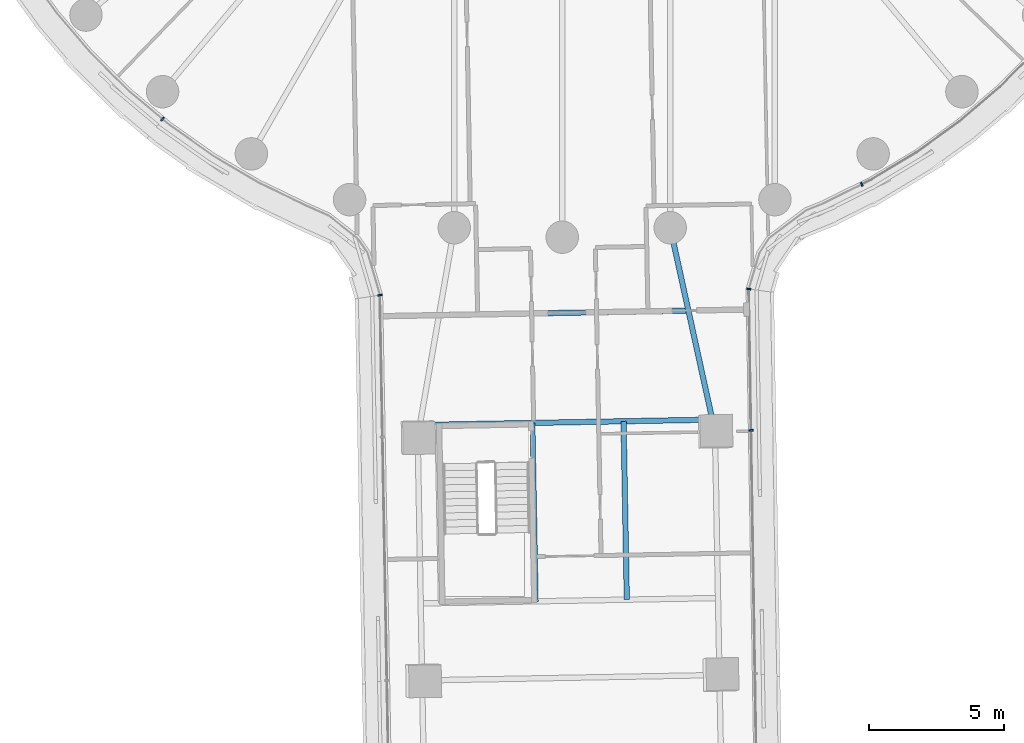
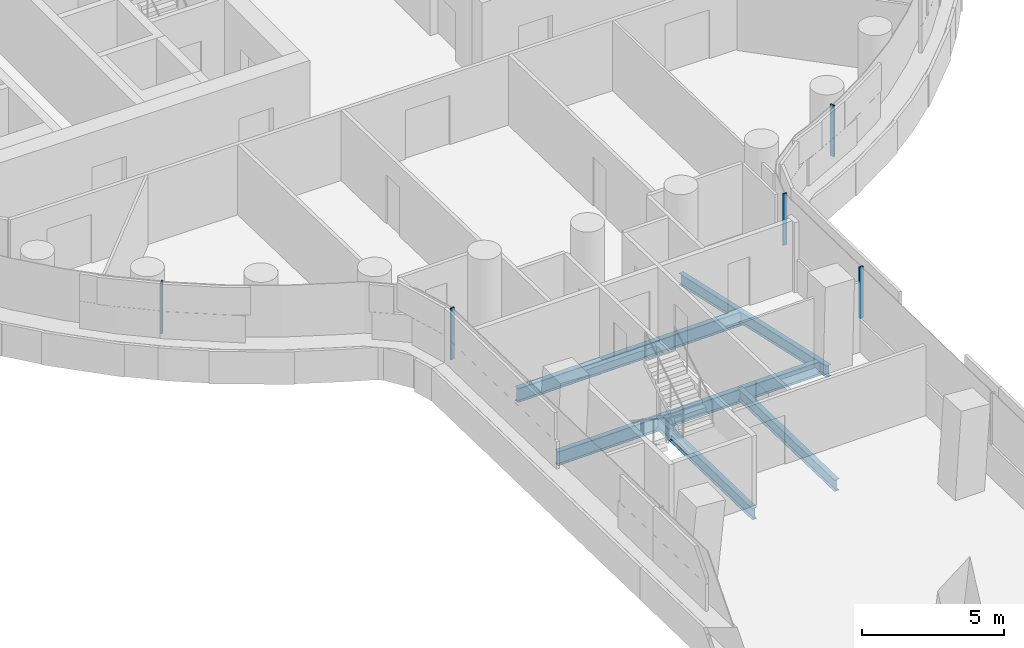
# One storey, part 3 of 31: 5 beams, 5 members, 4 elements without a shape of their own.
"""IFC4 building model written with IfcOpenShell, lengths in metres."""

from ifc_helpers import new_model, si_unit, direction, frame, origin, origin_2d, place, context, subcontext, project, spatial, rectangle, i_section, extrude, material, layer, layer_set, material_profile, profile_set, type_object, element, aggregate, save


model = new_model("IFC4")

# Units and contexts
model_context = context("Model", 3, precision=1e-05, world=origin(), true_north=direction((0.0, 1.0)))
body_context = subcontext(model_context, "Body", "Model", "MODEL_VIEW")
ifc_project = project(units=[si_unit("LENGTHUNIT", "METRE"), si_unit("AREAUNIT", "SQUARE_METRE"), si_unit("VOLUMEUNIT", "CUBIC_METRE"), si_unit("PLANEANGLEUNIT", "RADIAN"), si_unit("MASSUNIT", "GRAM", prefix="KILO")], contexts=[model_context])

# Site, building, storey
site_placement = place(None, origin())
site = spatial("IfcSite", under=ifc_project, at=site_placement, CompositionType="ELEMENT")
building_placement = place(site_placement, origin())
building = spatial("IfcBuilding", under=site, at=building_placement, Name="Tamarind Cross Interchange Tower", CompositionType="ELEMENT")
storey_placement = place(building_placement, frame((0.0, 0.0, 37.75)))
storey = spatial("IfcBuildingStorey", under=building, at=storey_placement, Name="L07", CompositionType="ELEMENT", Elevation=37.75)

# Beams
ifc_material_1 = material(Name="Steel Q355B", Category="steel")
ifc_material_profile_1 = material_profile(ifc_material_1, i_section(OverallWidth=0.198974609375, OverallDepth=0.49609375, WebThickness=0.009033203125, FlangeThickness=0.013916015625, FilletRadius=0.012939453125, at=origin_2d()), Name="HN 496x199x9x14")
ifc_profile_set_1 = profile_set([ifc_material_profile_1], Name="Steel Q355B")
beam_type_1 = type_object("IfcBeamType", Name="Composite beam HN 496x199x9x14 Q355B", PredefinedType="BEAM", material=ifc_profile_set_1)
beam_1_placement = place(storey_placement, frame((5.650390625, -30.1982421875, -0.387939453125), z_axis=(-0.214370535732, 0.97675241152, 0.0), x_axis=(-0.97675241152, -0.214370535732, 0.0)))
element("IfcBeam", 1, at=beam_1_placement, inside=storey, type_object=beam_type_1, Name="Beam S-linkep", PredefinedType="BEAM", context=body_context, shape_type="SweptSolid", body=[
    extrude(i_section(OverallWidth=0.198974609375, OverallDepth=0.49609375, WebThickness=0.009033203125, FlangeThickness=0.013916015625, FilletRadius=0.012939453125, at=origin_2d()), origin(), (0.0, 0.0, 1.0), 7.727294921875),
])
for number, where, z_axis, x_axis, name in (
    (2, (-1.106689453125, -29.87158203125, -0.387939453125), (0.018236635224, -0.99983369874, 0.0), (0.99983369874, 0.018236635224, 0.0), "Beam S-tr1"),
    (3, (2.267822265625, -29.81005859375, -0.387939453125), (0.018236635224, -0.99983369874, 0.0), (0.99983369874, 0.018236635224, 0.0), "Beam S-stripp"),
):
    element("IfcBeam", number, at=place(storey_placement, frame(where, z_axis=z_axis, x_axis=x_axis)), inside=storey, type_object=beam_type_1, Name=name, PredefinedType="BEAM", context=body_context, shape_type="SweptSolid", body=[
        extrude(i_section(OverallWidth=0.198974609375, OverallDepth=0.49609375, WebThickness=0.009033203125, FlangeThickness=0.013916015625, FilletRadius=0.012939453125, at=origin_2d()), origin(), (0.0, 0.0, 1.0), 6.599853515625),
    ])
ifc_material_profile_2 = material_profile(ifc_material_1, i_section(OverallWidth=0.199951171875, OverallDepth=0.60009765625, WebThickness=0.010986328125, FlangeThickness=0.01708984375, FilletRadius=0.012939453125, at=origin_2d()), Name="HN 600x200x11x17")
ifc_profile_set_2 = profile_set([ifc_material_profile_2], Name="Steel Q355B")
beam_type_2 = type_object("IfcBeamType", Name="Composite beam HN 600x200x11x17 Q355B", PredefinedType="BEAM", material=ifc_profile_set_2)
beam_2_placement = place(storey_placement, frame((-5.268798828125, -29.947509765625, -0.43994140625), z_axis=(0.999833459507, 0.018249746599, 0.0), x_axis=(-0.018249746599, 0.999833459507, 0.0)))
element("IfcBeam", 4, at=beam_2_placement, inside=storey, type_object=beam_type_2, Name="Beam S-x298", PredefinedType="BEAM", context=body_context, shape_type="SweptSolid", body=[
    extrude(i_section(OverallWidth=0.199951171875, OverallDepth=0.60009765625, WebThickness=0.010986328125, FlangeThickness=0.01708984375, FilletRadius=0.012939453125, at=origin_2d()), origin(), (0.0, 0.0, 1.0), 10.822509765625),
])
beam_3_placement = place(storey_placement, frame((-4.558837890625, -25.8837890625, -0.43994140625), z_axis=(0.999833805998, 0.01823075376, 0.0), x_axis=(-0.01823075376, 0.999833805998, 0.0)))
element("IfcBeam", 5, at=beam_3_placement, inside=storey, type_object=beam_type_2, Name="Beam S-x258", PredefinedType="BEAM", context=body_context, shape_type="SweptSolid", body=[
    extrude(i_section(OverallWidth=0.199951171875, OverallDepth=0.60009765625, WebThickness=0.010986328125, FlangeThickness=0.01708984375, FilletRadius=0.012939453125, at=origin_2d()), origin(), (0.0, 0.0, 1.0), 9.226806640625),
])

# Curtain wall, member
ifc_material_2 = material(Name="Aluminium 6063-T6", Category="aluminium")
ifc_layer = layer(ifc_material_2, 0.159912109375)
ifc_layer_set = layer_set([ifc_layer], Name="Aluminium 6063-T6")
curtain_wall_type = type_object("IfcCurtainWallType", Name="Office curtain wall, 9.0 m bays", PredefinedType="NOTDEFINED", material=ifc_layer_set)
curtain_wall_1_placement = place(storey_placement, origin())
curtain_wall_1 = element("IfcCurtainWall", 6, at=curtain_wall_1_placement, inside=storey, type_object=curtain_wall_type, Name="CWS-L07-06", PredefinedType="NOTDEFINED")
ifc_material_profile_3 = material_profile(ifc_material_2, rectangle(XDim=0.06005859375, YDim=0.159912109375, at=origin_2d()), Name="Mullion CW1")
ifc_profile_set_3 = profile_set([ifc_material_profile_3], Name="Aluminium 6063-T6")
member_type = type_object("IfcMemberType", Name="Mullion CW1", PredefinedType="MULLION", material=ifc_profile_set_3)
member_1_placement = place(storey_placement, frame((-14.784423828125, -18.631103515625, 1.39990234375), z_axis=(0.0, 0.0, 1.0), x_axis=(0.765858396687, -0.643009266048, 0.0)))
member_1 = element("IfcMember", 7, at=member_1_placement, type_object=member_type, Name="CWM-L07-06-02", PredefinedType="MULLION", context=body_context, shape_type="SweptSolid", body=[
    extrude(rectangle(XDim=0.06005859375, YDim=0.159912109375, at=origin_2d()), origin(), (0.0, 0.0, 1.0), 2.210205078125),
])
aggregate(curtain_wall_1, [member_1])

curtain_wall_2_placement = place(storey_placement, origin())
curtain_wall_2 = element("IfcCurtainWall", 8, at=curtain_wall_2_placement, inside=storey, type_object=curtain_wall_type, Name="CWS-L07-07", PredefinedType="NOTDEFINED")
member_2_placement = place(storey_placement, frame((-6.743896484375, -25.142333984375, 1.39990234375), z_axis=(0.0, 0.0, 1.0), x_axis=(0.151689368643, -0.988428214612, 0.0)))
member_2 = element("IfcMember", 9, at=member_2_placement, type_object=member_type, Name="CWM-L07-07-00", PredefinedType="MULLION", context=body_context, shape_type="SweptSolid", body=[
    extrude(rectangle(XDim=0.06005859375, YDim=0.159912109375, at=origin_2d()), origin(), (0.0, 0.0, 1.0), 2.210205078125),
])
aggregate(curtain_wall_2, [member_2])

curtain_wall_3_placement = place(storey_placement, origin())
curtain_wall_3 = element("IfcCurtainWall", 10, at=curtain_wall_3_placement, inside=storey, type_object=curtain_wall_type, Name="CWS-L07-09", PredefinedType="NOTDEFINED")
member_3_placement = place(storey_placement, frame((6.984619140625, -30.144287109375, 1.39990234375), z_axis=(0.0, 0.0, 1.0), x_axis=(-0.016194126045, 0.999868866543, 0.0)))
member_3 = element("IfcMember", 11, at=member_3_placement, type_object=member_type, Name="CWM-L07-09-02", PredefinedType="MULLION", context=body_context, shape_type="SweptSolid", body=[
    extrude(rectangle(XDim=0.06005859375, YDim=0.159912109375, at=origin_2d()), origin(), (0.0, 0.0, 1.0), 2.210205078125),
])
aggregate(curtain_wall_3, [member_3])

# Curtain wall, members
curtain_wall_4_placement = place(storey_placement, origin())
curtain_wall_4 = element("IfcCurtainWall", 12, at=curtain_wall_4_placement, inside=storey, type_object=curtain_wall_type, Name="CWS-L07-10", PredefinedType="NOTDEFINED")
member_4_placement = place(storey_placement, frame((6.900146484375, -24.917724609375, 1.39990234375), z_axis=(0.0, 0.0, 1.0), x_axis=(0.134501213808, 0.990913428854, 0.0)))
member_4 = element("IfcMember", 13, at=member_4_placement, type_object=member_type, Name="CWM-L07-10-00", PredefinedType="MULLION", context=body_context, shape_type="SweptSolid", body=[
    extrude(rectangle(XDim=0.06005859375, YDim=0.159912109375, at=origin_2d()), origin(), (0.0, 0.0, 1.0), 2.210205078125),
])
member_5_placement = place(storey_placement, frame((11.078857421875, -21.045166015625, 1.39990234375), z_axis=(0.0, 0.0, 1.0), x_axis=(0.896492548518, 0.443058811505, 0.0)))
member_5 = element("IfcMember", 14, at=member_5_placement, type_object=member_type, Name="CWM-L07-10-01", PredefinedType="MULLION", context=body_context, shape_type="SweptSolid", body=[
    extrude(rectangle(XDim=0.06005859375, YDim=0.159912109375, at=origin_2d()), origin(), (0.0, 0.0, 1.0), 2.210205078125),
])
aggregate(curtain_wall_4, [member_4, member_5])

save(model, "model.ifc")
